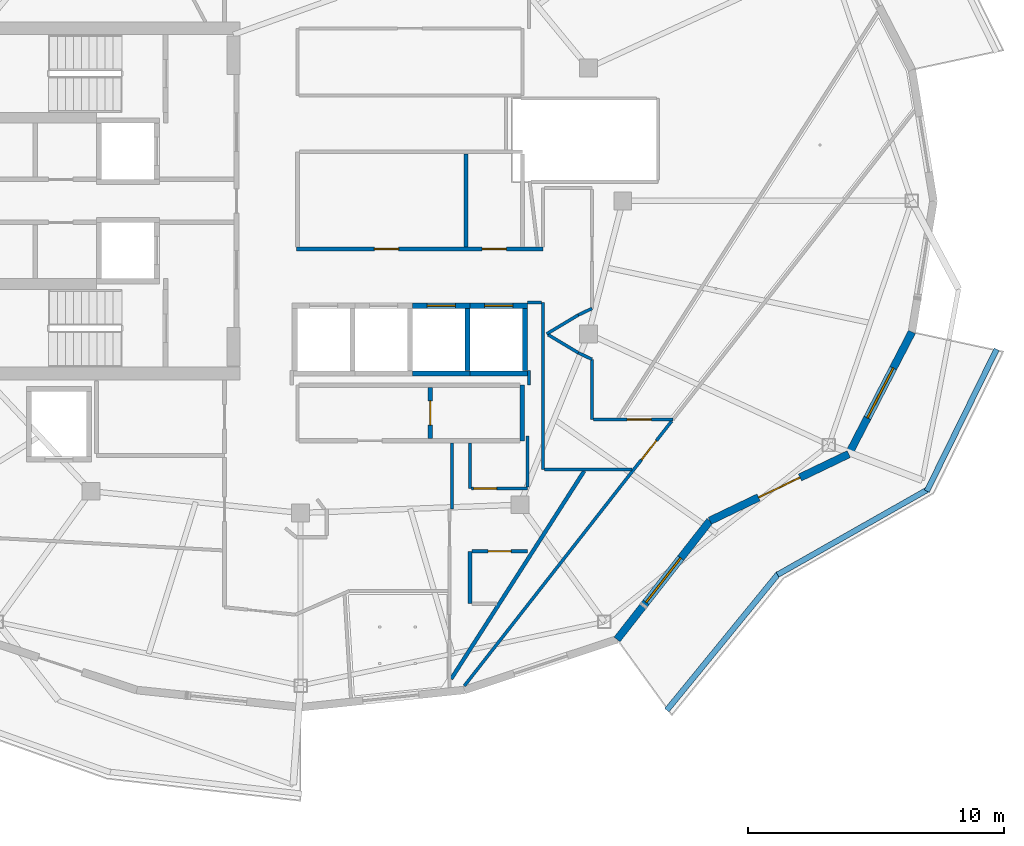
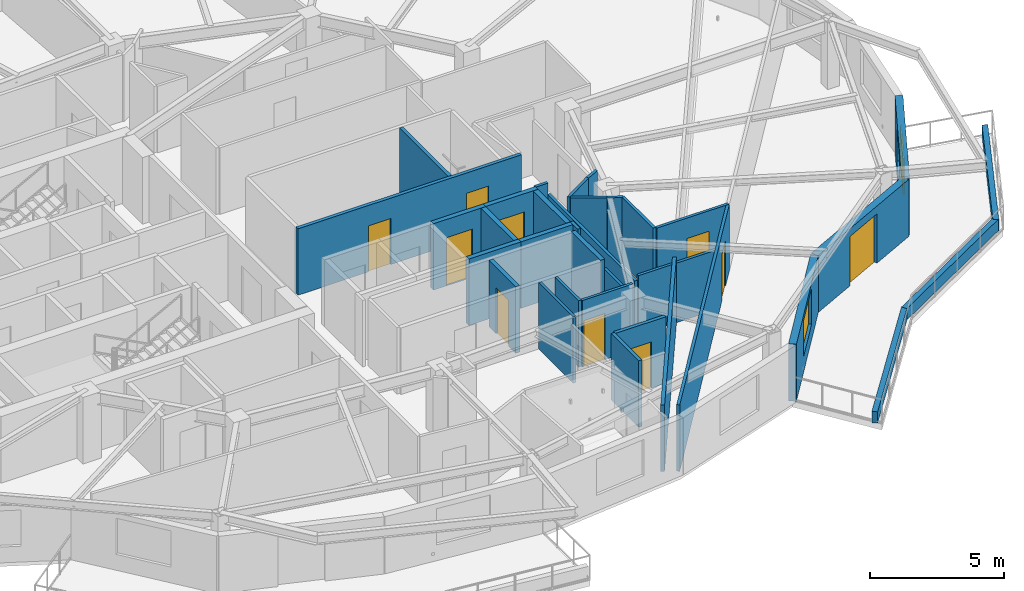
# One storey, part 5 of 14: 34 walls, 10 doors, 2 windows, 12 openings.
"""IFC4 building model written with IfcOpenShell, lengths in metres."""

import ifcopenshell
import ifcopenshell.guid

model = None  # the IFC model being written
_history = None  # IfcOwnerHistory: only IFC2X3 demands one
_inside = {}  # id of a spatial element -> (the spatial element, [elements in it])
_under = {}  # id of a project, library or spatial element -> (it, [spatial elements below it])
_declared = {}  # id of a project -> (the project, [libraries it declares])
_typed = {}  # id of a type object -> (the type object, [elements of that type])
_made_of = {}  # id of a material, layer set ... -> (it, [elements and type objects made of it])


def new_model(schema):
    """Start an empty IFC model of exactly this schema.

    Asked for "IFC4X3", IfcOpenShell would pick the latest addendum, in which some entities
    have other attributes; the version numbers below select the first issue.
    IFC2X3 requires an IfcOwnerHistory on every rooted entity: one is made here for all.
    """
    global model, _history
    if schema == "IFC4X3":
        model = ifcopenshell.file(schema_version=(4, 3, 0, 0))
    else:
        model = ifcopenshell.file(schema=schema)
    _inside.clear()
    _under.clear()
    _declared.clear()
    _typed.clear()
    _made_of.clear()
    _history = None
    if model.schema == "IFC2X3":
        org = make("IfcOrganization", Name="unknown")
        user = make(
            "IfcPersonAndOrganization",
            ThePerson=make("IfcPerson", FamilyName="unknown"),
            TheOrganization=org,
        )
        app = make(
            "IfcApplication",
            ApplicationDeveloper=org,
            Version="unknown",
            ApplicationFullName="unknown",
            ApplicationIdentifier="unknown",
        )
        _history = make(
            "IfcOwnerHistory",
            OwningUser=user,
            OwningApplication=app,
            ChangeAction="ADDED",
            CreationDate=0,
        )
    return model


def make(cls, **values):
    """One entity of the class cls with the attributes given. An attribute that is None is left unset."""
    return model.create_entity(
        cls, **{name: value for name, value in values.items() if value is not None}
    )


def rooted(cls, **values):
    """An entity with a GlobalId (a new one), such as an element, a storey or a relation."""
    return make(cls, GlobalId=ifcopenshell.guid.new(), OwnerHistory=_history, **values)


def si_unit(unit_type, name, prefix=None):
    """IfcSIUnit, for example si_unit("LENGTHUNIT", "METRE", prefix="MILLI")."""
    return make("IfcSIUnit", UnitType=unit_type, Prefix=prefix, Name=name)


def assignment(units):
    """IfcUnitAssignment: the units of a project."""
    return None if units is None else make("IfcUnitAssignment", Units=units)


def point(xyz):
    """IfcCartesianPoint."""
    return None if xyz is None else make("IfcCartesianPoint", Coordinates=xyz)


def direction(xyz):
    """IfcDirection."""
    return None if xyz is None else make("IfcDirection", DirectionRatios=xyz)


def frame(location, z_axis=None, x_axis=None):
    """IfcAxis2Placement3D, a coordinate frame: its origin and axes. An axis left out is left unset."""
    return make(
        "IfcAxis2Placement3D",
        Location=point(location),
        Axis=direction(z_axis),
        RefDirection=direction(x_axis),
    )


def frame_2d(location, x_axis=None):
    """IfcAxis2Placement2D, a coordinate frame in the plane: its origin and x axis."""
    return make(
        "IfcAxis2Placement2D", Location=point(location), RefDirection=direction(x_axis)
    )


def origin():
    """The frame at (0, 0, 0) with its axes left unset."""
    return frame((0.0, 0.0, 0.0))


def place(relative_to, where):
    """IfcLocalPlacement: puts the frame where relative to a parent placement (None: the world)."""
    return make(
        "IfcLocalPlacement", PlacementRelTo=relative_to, RelativePlacement=where
    )


def context(
    kind, dimensions, precision=None, world=None, true_north=None, identifier=None
):
    """IfcGeometricRepresentationContext, for example the 3D "Model" context."""
    return make(
        "IfcGeometricRepresentationContext",
        ContextIdentifier=identifier,
        ContextType=kind,
        CoordinateSpaceDimension=dimensions,
        Precision=precision,
        WorldCoordinateSystem=world,
        TrueNorth=true_north,
    )


def subcontext(parent, identifier, kind, view, scale=None):
    """IfcGeometricRepresentationSubContext, for example "Body" below "Model"."""
    return make(
        "IfcGeometricRepresentationSubContext",
        ContextIdentifier=identifier,
        ContextType=kind,
        ParentContext=parent,
        TargetScale=scale,
        TargetView=view,
    )


def project(units=None, contexts=None):
    """IfcProject with its units and contexts."""
    return rooted(
        "IfcProject",
        Name="project",
        RepresentationContexts=contexts,
        UnitsInContext=assignment(units),
    )


def spatial(cls, under=None, at=None, **own):
    """A site, building, storey or space (cls), placed at a placement, below another one or the project."""
    s = rooted(cls, ObjectPlacement=at, **own)
    if under is not None:
        _under.setdefault(under.id(), (under, []))[1].append(s)
    return s


def profile(cls, at=None, kind="AREA", **sizes):
    """A parametric profile (cls). Its sizes go by their IFC names, for example OverallWidth=200.0."""
    return make(cls, ProfileType=kind, Position=at, **sizes)


def rectangle(**sizes):
    """IfcRectangleProfileDef."""
    return profile("IfcRectangleProfileDef", **sizes)


def extrude(swept, where, along, depth):
    """IfcExtrudedAreaSolid: the profile swept, set in the frame where, extruded along a direction by depth."""
    return make(
        "IfcExtrudedAreaSolid",
        SweptArea=swept,
        Position=where,
        ExtrudedDirection=direction(along),
        Depth=depth,
    )


def shape(context_of_items, identifier, shape_type, items):
    """IfcShapeRepresentation: the items that make up one representation, for example the "Body"."""
    return make(
        "IfcShapeRepresentation",
        ContextOfItems=context_of_items,
        RepresentationIdentifier=identifier,
        RepresentationType=shape_type,
        Items=items,
    )


def material(Name=None, Category=None):
    """IfcMaterial."""
    return make("IfcMaterial", Name=Name, Category=Category)


def layer(
    of_material, thickness, ventilated=None, Name=None, Category=None, Priority=None
):
    """IfcMaterialLayer: one layer of a wall or slab, of a material (None: an air gap)."""
    return make(
        "IfcMaterialLayer",
        Material=of_material,
        LayerThickness=thickness,
        IsVentilated=ventilated,
        Name=Name,
        Category=Category,
        Priority=Priority,
    )


def layer_set(layers, Name=None):
    """IfcMaterialLayerSet."""
    return make("IfcMaterialLayerSet", MaterialLayers=layers, LayerSetName=Name)


def made_of(thing, what):
    """Note that an element or type object is made of a material, layer set ...; save() writes the relation."""
    if what is not None:
        _made_of.setdefault(what.id(), (what, []))[1].append(thing)
    return thing


def type_object(cls, material=None, **own):
    """A type object (cls), such as IfcWallType, which elements share."""
    return made_of(rooted(cls, **own), material)


def element(
    cls,
    number,
    at=None,
    inside=None,
    cuts=None,
    type_object=None,
    material=None,
    context=None,
    identifier="Body",
    shape_type=None,
    held_by="IfcProductDefinitionShape",
    body=None,
    shapes=None,
    **own,
):
    """One element of the class cls, such as IfcWall. Its Tag is "e" and its number.

    at: its placement. inside: the storey or other place that contains it. cuts: it is an
    opening in that element (IfcRelVoidsElement). A single representation is given by context,
    identifier, shape_type and body (its items); several are given by shapes. held_by: the class
    of the entity that holds the representations. save() writes the other relations.
    """
    e = rooted(cls, Tag="e%d" % number, ObjectPlacement=at, **own)
    if body is not None:
        shapes = [shape(context, identifier, shape_type, body)]
    if shapes is not None:
        e.Representation = make(held_by, Representations=shapes)
    if inside is not None:
        _inside.setdefault(inside.id(), (inside, []))[1].append(e)
    if cuts is not None:
        rooted(
            "IfcRelVoidsElement", RelatingBuildingElement=cuts, RelatedOpeningElement=e
        )
    if type_object is not None:
        _typed.setdefault(type_object.id(), (type_object, []))[1].append(e)
    return made_of(e, material)


def fill(opening, filler):
    """IfcRelFillsElement: the door or window that sits in an opening."""
    return rooted(
        "IfcRelFillsElement",
        RelatingOpeningElement=opening,
        RelatedBuildingElement=filler,
    )


def aggregate(whole, parts):
    """IfcRelAggregates: a whole, such as a stair, and the parts it consists of."""
    return rooted("IfcRelAggregates", RelatingObject=whole, RelatedObjects=parts)


def save(model, path):
    """Write the relations noted so far, then the file.

    IfcRelAggregates (storeys below a building ...), IfcRelContainedInSpatialStructure (elements
    in a storey), IfcRelDefinesByType, IfcRelAssociatesMaterial and IfcRelDeclares: one each for
    every whole, place, type object, material and project.
    """
    for whole, parts in _under.values():
        aggregate(whole, parts)
    for where, things in _inside.values():
        rooted(
            "IfcRelContainedInSpatialStructure",
            RelatedElements=things,
            RelatingStructure=where,
        )
    for kind, things in _typed.values():
        rooted("IfcRelDefinesByType", RelatedObjects=things, RelatingType=kind)
    for what, things in _made_of.values():
        rooted("IfcRelAssociatesMaterial", RelatedObjects=things, RelatingMaterial=what)
    for by, libraries in _declared.values():
        rooted("IfcRelDeclares", RelatingContext=by, RelatedDefinitions=libraries)
    model.write(path)


model = new_model("IFC4")

# Units and contexts
model_context = context("Model", 3, precision=1e-05, world=origin(), true_north=direction((0.0, 1.0)))
body_context = subcontext(model_context, "Body", "Model", "MODEL_VIEW")
ifc_project = project(units=[si_unit("LENGTHUNIT", "METRE"), si_unit("AREAUNIT", "SQUARE_METRE"), si_unit("VOLUMEUNIT", "CUBIC_METRE"), si_unit("PLANEANGLEUNIT", "RADIAN"), si_unit("MASSUNIT", "GRAM", prefix="KILO")], contexts=[model_context])

# Site, building, storey
site_placement = place(None, origin())
site = spatial("IfcSite", under=ifc_project, at=site_placement, CompositionType="ELEMENT")
building_placement = place(site_placement, origin())
building = spatial("IfcBuilding", under=site, at=building_placement, Name="Kolvaren Gate Tower and Convention Centre", CompositionType="ELEMENT")
storey_placement = place(building_placement, frame((0.0, 0.0, 209.60009765625)))
storey = spatial("IfcBuildingStorey", under=building, at=storey_placement, Name="L55", CompositionType="ELEMENT", Elevation=209.60009765625)

# Wall
ifc_material_1 = material(Name="Autoclaved Aerated Masonry Blockwork Class 4 (4.0 MPa)", Category="masonry")
ifc_layer_1 = layer(ifc_material_1, 0.179931640625)
ifc_layer_set_1 = layer_set([ifc_layer_1], Name="Autoclaved Aerated Masonry Blockwork Class 4 (4.0 MPa)")
wall_type_1 = type_object("IfcWallType", Name="ARCH-WL-COMP-180", PredefinedType="SOLIDWALL", material=ifc_layer_set_1)
wall_1_placement = place(storey_placement, frame((38.800048828125, 17.6201171875, 0.0), z_axis=(0.0, 0.0, 1.0), x_axis=(0.0, 1.0, 0.0)))
element("IfcWall", 1, at=wall_1_placement, inside=storey, type_object=wall_type_1, Name="Interior Partition WL-L55-INT-020", PredefinedType="SOLIDWALL", context=body_context, shape_type="SweptSolid", body=[
    extrude(rectangle(XDim=2.179931640625, YDim=0.179931640625, at=frame_2d((1.08984375, 0.0))), origin(), (0.0, 0.0, 1.0), 3.02978515625),
])

# Wall, opening, door
wall_2_placement = place(storey_placement, frame((35.199951171875, 17.7119140625, 0.0), z_axis=(0.0, 0.0, 1.0), x_axis=(0.0, 1.0, 0.0)))
wall_2 = element("IfcWall", 2, at=wall_2_placement, inside=storey, type_object=wall_type_1, Name="Interior Partition WL-L55-INT-027", PredefinedType="SOLIDWALL", context=body_context, shape_type="SweptSolid", body=[
    extrude(rectangle(XDim=1.99609375, YDim=0.179931640625, at=frame_2d((0.998046875, 0.0))), origin(), (0.0, 0.0, 1.0), 3.02978515625),
])
opening_1_placement = place(wall_2_placement, frame((0.52294921875, 0.0, 0.0)))
opening_1 = element("IfcOpeningElement", 3, at=opening_1_placement, cuts=wall_2, Name="Opening DR-01", PredefinedType="OPENING", context=body_context, shape_type="SweptSolid", body=[
    extrude(rectangle(XDim=0.949951171875, YDim=2.10009765625, at=frame_2d((0.47509765625, 1.050048828125))), frame((0.0, 0.099853515625, 0.0), z_axis=(0.0, -1.0, 0.0), x_axis=(1.0, 0.0, 0.0)), (0.0, 0.0, 1.0), 0.199951171875),
])
ifc_material_2 = material(Name="Painted Architectural Steelwork ASTM A500 Grade C 345 MPa", Category="steel")
door_type_1 = type_object("IfcDoorType", Name="ARCH-DR-RISER-950", OperationType="SINGLE_SWING_RIGHT", PredefinedType="DOOR", material=ifc_material_2)
door_1_placement = place(opening_1_placement, origin())
door_1 = element("IfcDoor", 4, at=door_1_placement, inside=storey, type_object=door_type_1, Name="Smart-Metering Room Door", OperationType="SINGLE_SWING_LEFT", OverallHeight=2.10009765625, OverallWidth=0.949951171875, PredefinedType="DOOR", context=body_context, shape_type="SweptSolid", body=[
    extrude(rectangle(XDim=0.949951171875, YDim=2.10009765625, at=frame_2d((0.47509765625, 1.050048828125))), frame((0.0, 0.02490234375, 0.0), z_axis=(0.0, -1.0, 0.0), x_axis=(1.0, 0.0, 0.0)), (0.0, 0.0, 1.0), 0.050048828125),
])
fill(opening_1, door_1)

# Walls
ifc_material_3 = material(Name="Fire-Rated Acoustic Gypsum Stud Partition", Category="gypsum")
ifc_layer_2 = layer(ifc_material_3, 0.1201171875)
ifc_layer_set_2 = layer_set([ifc_layer_2], Name="Fire-Rated Acoustic Gypsum Stud Partition")
wall_type_2 = type_object("IfcWallType", Name="ARCH-WL-PART-120", PredefinedType="PARTITIONING", material=ifc_layer_set_2)
wall_3_placement = place(storey_placement, frame((39.050048828125, 19.800048828125, 0.0), z_axis=(0.0, 0.0, 1.0), x_axis=(0.0, 1.0, 0.0)))
element("IfcWall", 5, at=wall_3_placement, inside=storey, type_object=wall_type_2, Name="Interior Partition WL-L55-INT-036", PredefinedType="PARTITIONING", context=body_context, shape_type="SweptSolid", body=[
    extrude(rectangle(XDim=0.56005859375, YDim=0.1201171875, at=frame_2d((0.280029296875, 0.0))), origin(), (0.0, 0.0, 1.0), 3.02978515625),
])
wall_4_placement = place(storey_placement, frame((39.60009765625, 16.5, 0.0), z_axis=(0.0, 0.0, 1.0), x_axis=(0.0, 1.0, 0.0)))
element("IfcWall", 6, at=wall_4_placement, inside=storey, type_object=wall_type_2, Name="Interior Partition WL-L55-INT-039", PredefinedType="PARTITIONING", context=body_context, shape_type="SweptSolid", body=[
    extrude(rectangle(XDim=6.52001953125, YDim=0.1201171875, at=frame_2d((3.260009765625, 0.0))), origin(), (0.0, 0.0, 1.0), 2.477783203125),
])
wall_5_placement = place(storey_placement, frame((41.52001953125, 18.449951171875, 0.0), z_axis=(0.0, 0.0, 1.0), x_axis=(0.0, 1.0, 0.0)))
element("IfcWall", 7, at=wall_5_placement, inside=storey, type_object=wall_type_2, Name="Interior Partition WL-L55-INT-042", PredefinedType="PARTITIONING", context=body_context, shape_type="SweptSolid", body=[
    extrude(rectangle(XDim=2.35693359375, YDim=0.1201171875, at=frame_2d((1.178466796875, 0.0))), origin(), (0.0, 0.0, 1.0), 3.02978515625),
])
wall_6_placement = place(storey_placement, frame((40.986083984375, 22.541015625, 0.0), z_axis=(0.0, 0.0, 1.0), x_axis=(0.903729424576, 0.428104107847, 0.0)))
element("IfcWall", 8, at=wall_6_placement, inside=storey, type_object=wall_type_2, Name="Interior Partition WL-L55-INT-044", PredefinedType="PARTITIONING", context=body_context, shape_type="SweptSolid", body=[
    extrude(rectangle(XDim=0.5908203125, YDim=0.1201171875, at=frame_2d((0.29541015625, 0.0))), origin(), (0.0, 0.0, 1.0), 3.02978515625),
])
wall_7_placement = place(storey_placement, frame((39.75, 21.800048828125, 0.0), z_axis=(0.0, 0.0, 1.0), x_axis=(0.857702120906, 0.514146935996, 0.0)))
element("IfcWall", 9, at=wall_7_placement, inside=storey, type_object=wall_type_2, Name="Interior Partition WL-L55-INT-045", PredefinedType="PARTITIONING", context=body_context, shape_type="SweptSolid", body=[
    extrude(rectangle(XDim=1.441162109375, YDim=0.1201171875, at=frame_2d((0.720703125, 0.0))), origin(), (0.0, 0.0, 1.0), 3.02978515625),
])
wall_8_placement = place(storey_placement, frame((39.810302734375, 21.763916015625, 0.0), z_axis=(0.0, 0.0, 1.0), x_axis=(0.858011245414, -0.513630901273, 0.0)))
element("IfcWall", 10, at=wall_8_placement, inside=storey, type_object=wall_type_2, Name="Interior Partition WL-L55-INT-046", PredefinedType="PARTITIONING", context=body_context, shape_type="SweptSolid", body=[
    extrude(rectangle(XDim=1.370361328125, YDim=0.1201171875, at=frame_2d((0.68505859375, 0.0))), origin(), (0.0, 0.0, 1.0), 3.02978515625),
])
wall_9_placement = place(storey_placement, frame((40.986083984375, 21.06005859375, 0.0), z_axis=(0.0, 0.0, 1.0), x_axis=(0.90356951601, -0.428441512621, 0.0)))
element("IfcWall", 11, at=wall_9_placement, inside=storey, type_object=wall_type_2, Name="Interior Partition WL-L55-INT-047", PredefinedType="PARTITIONING", context=body_context, shape_type="SweptSolid", body=[
    extrude(rectangle(XDim=0.5908203125, YDim=0.1201171875, at=frame_2d((0.29541015625, 0.0))), origin(), (0.0, 0.0, 1.0), 3.02978515625),
])

# Wall, opening, door
wall_10_placement = place(storey_placement, frame((41.58203125, 18.449951171875, 0.0), z_axis=(0.0, 0.0, 1.0), x_axis=(1.0, 0.0, 0.0)))
wall_10 = element("IfcWall", 12, at=wall_10_placement, inside=storey, type_object=wall_type_2, Name="Interior Partition WL-L55-INT-048", PredefinedType="PARTITIONING", context=body_context, shape_type="SweptSolid", body=[
    extrude(rectangle(XDim=3.10498046875, YDim=0.1201171875, at=frame_2d((1.552490234375, 0.0))), origin(), (0.0, 0.0, 1.0), 3.02978515625),
])
opening_2_placement = place(wall_10_placement, frame((1.31005859375, 0.0, 0.0)))
opening_2 = element("IfcOpeningElement", 13, at=opening_2_placement, cuts=wall_10, Name="Opening DR-01", PredefinedType="OPENING", context=body_context, shape_type="SweptSolid", body=[
    extrude(rectangle(XDim=0.949951171875, YDim=2.10009765625, at=frame_2d((0.47509765625, 1.050048828125))), frame((0.0, 0.070068359375, 0.0), z_axis=(0.0, -1.0, 0.0), x_axis=(1.0, 0.0, 0.0)), (0.0, 0.0, 1.0), 0.14013671875),
])
door_2_placement = place(opening_2_placement, origin())
door_2 = element("IfcDoor", 14, at=door_2_placement, inside=storey, type_object=door_type_1, Name="Resident Quiet Study Office Door", OperationType="SINGLE_SWING_RIGHT", OverallHeight=2.10009765625, OverallWidth=0.949951171875, PredefinedType="DOOR", context=body_context, shape_type="SweptSolid", body=[
    extrude(rectangle(XDim=0.949951171875, YDim=2.10009765625, at=frame_2d((0.47509765625, 1.050048828125))), frame((0.0, 0.02490234375, 0.0), z_axis=(0.0, -1.0, 0.0), x_axis=(1.0, 0.0, 0.0)), (0.0, 0.0, 1.0), 0.050048828125),
])
fill(opening_2, door_2)

wall_11_placement = place(storey_placement, frame((36.527099609375, 8.03369140625, 0.0), z_axis=(0.0, 0.0, 1.0), x_axis=(0.616547497682, 0.787317714206, 0.0)))
wall_11 = element("IfcWall", 15, at=wall_11_placement, inside=storey, type_object=wall_type_2, Name="Interior Partition WL-L55-INT-049", PredefinedType="PARTITIONING", context=body_context, shape_type="SweptSolid", body=[
    extrude(rectangle(XDim=13.1513671875, YDim=0.1201171875, at=frame_2d((6.57568359375, 0.0))), origin(), (0.0, 0.0, 1.0), 3.02978515625),
])
opening_3_placement = place(wall_11_placement, frame((11.239990234375, 0.0, 0.0)))
opening_3 = element("IfcOpeningElement", 16, at=opening_3_placement, cuts=wall_11, Name="Opening DR-01", PredefinedType="OPENING", context=body_context, shape_type="SweptSolid", body=[
    extrude(rectangle(XDim=0.949951171875, YDim=2.10009765625, at=frame_2d((0.47509765625, 1.050048828125))), frame((0.0, 0.070068359375, 0.0), z_axis=(0.0, -1.0, 0.0), x_axis=(1.0, 0.0, 0.0)), (0.0, 0.0, 1.0), 0.14013671875),
])
door_3_placement = place(opening_3_placement, origin())
door_3 = element("IfcDoor", 17, at=door_3_placement, inside=storey, type_object=door_type_1, Name="Resident Private Study and Home Office Door", OperationType="SINGLE_SWING_LEFT", OverallHeight=2.10009765625, OverallWidth=0.949951171875, PredefinedType="DOOR", context=body_context, shape_type="SweptSolid", body=[
    extrude(rectangle(XDim=0.949951171875, YDim=2.10009765625, at=frame_2d((0.47509765625, 1.050048828125))), frame((0.0, 0.02490234375, 0.0), z_axis=(0.0, -1.0, 0.0), x_axis=(1.0, 0.0, 0.0)), (0.0, 0.0, 1.0), 0.050048828125),
])
fill(opening_3, door_3)

# Walls
wall_12_placement = place(storey_placement, frame((39.662109375, 16.5, 0.0), z_axis=(0.0, 0.0, 1.0), x_axis=(1.0, 0.0, 0.0)))
element("IfcWall", 18, at=wall_12_placement, inside=storey, type_object=wall_type_2, Name="Interior Partition WL-L55-INT-050", PredefinedType="PARTITIONING", context=body_context, shape_type="SweptSolid", body=[
    extrude(rectangle(XDim=3.416015625, YDim=0.1201171875, at=frame_2d((1.7080078125, 0.0))), origin(), (0.0, 0.0, 1.0), 2.7119140625),
])
wall_13_placement = place(storey_placement, frame((39.0, 23.02001953125, 0.0), z_axis=(0.0, 0.0, 1.0), x_axis=(1.0, 0.0, 0.0)))
element("IfcWall", 19, at=wall_13_placement, inside=storey, type_object=wall_type_2, Name="Interior Partition WL-L55-INT-051", PredefinedType="PARTITIONING", context=body_context, shape_type="SweptSolid", body=[
    extrude(rectangle(XDim=0.5380859375, YDim=0.1201171875, at=frame_2d((0.26904296875, 0.0))), origin(), (0.0, 0.0, 1.0), 3.02978515625),
])
wall_14_placement = place(storey_placement, frame((36.050048828125, 14.949951171875, 0.0), z_axis=(0.0, 0.0, 1.0), x_axis=(0.0, 1.0, 0.0)))
element("IfcWall", 20, at=wall_14_placement, inside=storey, type_object=wall_type_2, Name="Interior Partition WL-L55-INT-053", PredefinedType="PARTITIONING", context=body_context, shape_type="SweptSolid", body=[
    extrude(rectangle(XDim=2.578125, YDim=0.1201171875, at=frame_2d((1.2890625, 0.0))), origin(), (0.0, 0.0, 1.0), 3.02978515625),
])
wall_15_placement = place(storey_placement, frame((36.75, 15.75, 0.0), z_axis=(0.0, 0.0, 1.0), x_axis=(0.0, 1.0, 0.0)))
element("IfcWall", 21, at=wall_15_placement, inside=storey, type_object=wall_type_2, Name="Interior Partition WL-L55-INT-067", PredefinedType="PARTITIONING", context=body_context, shape_type="SweptSolid", body=[
    extrude(rectangle(XDim=1.778076171875, YDim=0.1201171875, at=frame_2d((0.88916015625, 0.0))), origin(), (0.0, 0.0, 1.0), 3.02978515625),
])

# Wall, opening, door
wall_16_placement = place(storey_placement, frame((36.81201171875, 15.75, 0.0), z_axis=(0.0, 0.0, 1.0), x_axis=(1.0, 0.0, 0.0)))
wall_16 = element("IfcWall", 22, at=wall_16_placement, inside=storey, type_object=wall_type_2, Name="Interior Partition WL-L55-INT-068", PredefinedType="PARTITIONING", context=body_context, shape_type="SweptSolid", body=[
    extrude(rectangle(XDim=2.18798828125, YDim=0.1201171875, at=frame_2d((1.093994140625, 0.0))), origin(), (0.0, 0.0, 1.0), 3.02978515625),
])
opening_4_placement = place(wall_16_placement, frame((0.083984375, 0.0, 0.0)))
opening_4 = element("IfcOpeningElement", 23, at=opening_4_placement, cuts=wall_16, Name="Opening DW-01", PredefinedType="OPENING", context=body_context, shape_type="SweptSolid", body=[
    extrude(rectangle(XDim=0.89990234375, YDim=2.10009765625, at=frame_2d((0.449951171875, 1.050048828125))), frame((0.0, 0.070068359375, 0.0), z_axis=(0.0, -1.0, 0.0), x_axis=(1.0, 0.0, 0.0)), (0.0, 0.0, 1.0), 0.14013671875),
])
ifc_material_4 = material(Name="FSC Andean Oak Engineered Veneer Door Leaf", Category="wood")
door_type_2 = type_object("IfcDoorType", Name="ARCH-DR-WC-900", OperationType="SINGLE_SWING_RIGHT", PredefinedType="DOOR", material=ifc_material_4)
door_4_placement = place(opening_4_placement, origin())
door_4 = element("IfcDoor", 24, at=door_4_placement, inside=storey, type_object=door_type_2, Name="Apartment Fitted Kitchen (APT-L55-01) Door", OperationType="SINGLE_SWING_RIGHT", OverallHeight=2.10009765625, OverallWidth=0.89990234375, PredefinedType="DOOR", context=body_context, shape_type="SweptSolid", body=[
    extrude(rectangle(XDim=0.89990234375, YDim=2.10009765625, at=frame_2d((0.449951171875, 1.050048828125))), frame((0.0, 0.02490234375, 0.0), z_axis=(0.0, -1.0, 0.0), x_axis=(1.0, 0.0, 0.0)), (0.0, 0.0, 1.0), 0.050048828125),
])
fill(opening_4, door_4)

# Walls
wall_17_placement = place(storey_placement, frame((39.0, 15.81201171875, 0.0), z_axis=(0.0, 0.0, 1.0), x_axis=(0.0, 1.0, 0.0)))
element("IfcWall", 25, at=wall_17_placement, inside=storey, type_object=wall_type_2, Name="Interior Partition WL-L55-INT-069", PredefinedType="PARTITIONING", context=body_context, shape_type="SweptSolid", body=[
    extrude(rectangle(XDim=1.988037109375, YDim=0.1201171875, at=frame_2d((0.994140625, 0.0))), origin(), (0.0, 0.0, 1.0), 2.477783203125),
])
ifc_material_5 = material(Name="Piedmont Cream Honed Limestone Cladding", Category="masonry")
ifc_layer_3 = layer(ifc_material_5, 0.219970703125)
ifc_layer_set_3 = layer_set([ifc_layer_3], Name="Piedmont Cream Honed Limestone Cladding")
wall_type_3 = type_object("IfcWallType", Name="ARCH-WL-PLANTER-220", PredefinedType="PARAPET", material=ifc_layer_set_3)
wall_18_placement = place(storey_placement, frame((44.4482421875, 7.087158203125, 0.0), z_axis=(0.0, 0.0, 1.0), x_axis=(0.632697312147, 0.774399193699, 0.0)))
element("IfcWall", 26, at=wall_18_placement, inside=storey, type_object=wall_type_3, Name="Vertical-Forest Balcony Stone Planter Kerb PK-L55-4.1", PredefinedType="PARAPET", context=body_context, shape_type="SweptSolid", body=[
    extrude(rectangle(XDim=6.9140625, YDim=0.219970703125, at=frame_2d((3.45703125, 0.0))), origin(), (0.0, 0.0, 1.0), 0.52001953125),
])
wall_19_placement = place(storey_placement, frame((48.7763671875, 12.38330078125, 0.0), z_axis=(0.0, 0.0, 1.0), x_axis=(0.869860619267, 0.493297580623, 0.0)))
element("IfcWall", 27, at=wall_19_placement, inside=storey, type_object=wall_type_3, Name="Vertical-Forest Balcony Stone Planter Kerb PK-L55-4.2", PredefinedType="PARAPET", context=body_context, shape_type="SweptSolid", body=[
    extrude(rectangle(XDim=6.74267578125, YDim=0.219970703125, at=frame_2d((3.371337890625, 0.0))), origin(), (0.0, 0.0, 1.0), 0.52001953125),
])
wall_20_placement = place(storey_placement, frame((54.615966796875, 15.6533203125, 0.0), z_axis=(0.0, 0.0, 1.0), x_axis=(0.441640961804, 0.897191875162, 0.0)))
element("IfcWall", 28, at=wall_20_placement, inside=storey, type_object=wall_type_3, Name="Vertical-Forest Balcony Stone Planter Kerb PK-L55-4.3", PredefinedType="PARAPET", context=body_context, shape_type="SweptSolid", body=[
    extrude(rectangle(XDim=6.17822265625, YDim=0.219970703125, at=frame_2d((3.089111328125, 0.0))), origin(), (0.0, 0.0, 1.0), 0.52001953125),
])

# Wall, opening, door
ifc_layer_4 = layer(ifc_material_1, 0.199951171875)
ifc_layer_set_4 = layer_set([ifc_layer_4], Name="Autoclaved Aerated Masonry Blockwork Class 4 (4.0 MPa)")
wall_type_4 = type_object("IfcWallType", Name="ARCH-WL-SHAFT-200", PredefinedType="SOLIDWALL", material=ifc_layer_set_4)
wall_21_placement = place(storey_placement, frame((34.5, 22.89990234375, 0.0), z_axis=(0.0, 0.0, 1.0), x_axis=(1.0, 0.0, 0.0)))
wall_21 = element("IfcWall", 29, at=wall_21_placement, inside=storey, type_object=wall_type_4, Name="Elevator PL-11 L55 Fire Shaft Wall N", PredefinedType="SOLIDWALL", context=body_context, shape_type="SweptSolid", body=[
    extrude(rectangle(XDim=2.25, YDim=0.199951171875, at=frame_2d((1.125, 0.0))), origin(), (0.0, 0.0, 1.0), 3.02978515625),
])
opening_5_placement = place(wall_21_placement, frame((0.574951171875, 0.0, 0.0)))
opening_5 = element("IfcOpeningElement", 30, at=opening_5_placement, cuts=wall_21, Name="Opening LD", PredefinedType="OPENING", context=body_context, shape_type="SweptSolid", body=[
    extrude(rectangle(XDim=1.10009765625, YDim=2.199951171875, at=frame_2d((0.550048828125, 1.10009765625))), frame((0.0, 0.10986328125, 0.0), z_axis=(0.0, -1.0, 0.0), x_axis=(1.0, 0.0, 0.0)), (0.0, 0.0, 1.0), 0.219970703125),
])
ifc_material_6 = material(Name="Brushed Stainless Steel Grade 316L", Category="steel")
door_type_3 = type_object("IfcDoorType", Name="ARCH-DR-LIFT-1100", OperationType="SLIDING_TO_LEFT", PredefinedType="DOOR", material=ifc_material_6)
door_5_placement = place(opening_5_placement, origin())
door_5 = element("IfcDoor", 31, at=door_5_placement, inside=storey, type_object=door_type_3, Name="Elevator PL-11 L55 Sliding Landing Door", OperationType="SLIDING_TO_LEFT", OverallHeight=2.199951171875, OverallWidth=1.10009765625, PredefinedType="DOOR", context=body_context, shape_type="SweptSolid", body=[
    extrude(rectangle(XDim=1.10009765625, YDim=2.199951171875, at=frame_2d((0.550048828125, 1.10009765625))), frame((0.0, 0.02490234375, 0.0), z_axis=(0.0, -1.0, 0.0), x_axis=(1.0, 0.0, 0.0)), (0.0, 0.0, 1.0), 0.050048828125),
])
fill(opening_5, door_5)

# Walls
wall_22_placement = place(storey_placement, frame((34.5, 20.25, 0.0), z_axis=(0.0, 0.0, 1.0), x_axis=(1.0, 0.0, 0.0)))
element("IfcWall", 32, at=wall_22_placement, inside=storey, type_object=wall_type_4, Name="Elevator PL-11 L55 Fire Shaft Wall S", PredefinedType="SOLIDWALL", context=body_context, shape_type="SweptSolid", body=[
    extrude(rectangle(XDim=2.25, YDim=0.199951171875, at=frame_2d((1.125, 0.0))), origin(), (0.0, 0.0, 1.0), 3.02978515625),
])
wall_23_placement = place(storey_placement, frame((36.64990234375, 20.360107421875, 0.0), z_axis=(0.0, 0.0, 1.0), x_axis=(0.0, 1.0, 0.0)))
element("IfcWall", 33, at=wall_23_placement, inside=storey, type_object=wall_type_4, Name="Elevator PL-11 L55 Fire Shaft Wall E", PredefinedType="SOLIDWALL", context=body_context, shape_type="SweptSolid", body=[
    extrude(rectangle(XDim=2.429931640625, YDim=0.199951171875, at=frame_2d((1.21484375, 0.0))), origin(), (0.0, 0.0, 1.0), 3.02978515625),
])

# Wall, opening, door
wall_24_placement = place(storey_placement, frame((36.75, 22.89990234375, 0.0), z_axis=(0.0, 0.0, 1.0), x_axis=(1.0, 0.0, 0.0)))
wall_24 = element("IfcWall", 34, at=wall_24_placement, inside=storey, type_object=wall_type_4, Name="Elevator PL-12 L55 Fire Shaft Wall N", PredefinedType="SOLIDWALL", context=body_context, shape_type="SweptSolid", body=[
    extrude(rectangle(XDim=2.25, YDim=0.199951171875, at=frame_2d((1.125, 0.0))), origin(), (0.0, 0.0, 1.0), 3.02978515625),
])
opening_6_placement = place(wall_24_placement, frame((0.574951171875, 0.0, 0.0)))
opening_6 = element("IfcOpeningElement", 35, at=opening_6_placement, cuts=wall_24, Name="Opening LD", PredefinedType="OPENING", context=body_context, shape_type="SweptSolid", body=[
    extrude(rectangle(XDim=1.10009765625, YDim=2.199951171875, at=frame_2d((0.550048828125, 1.10009765625))), frame((0.0, 0.10986328125, 0.0), z_axis=(0.0, -1.0, 0.0), x_axis=(1.0, 0.0, 0.0)), (0.0, 0.0, 1.0), 0.219970703125),
])
door_6_placement = place(opening_6_placement, origin())
door_6 = element("IfcDoor", 36, at=door_6_placement, inside=storey, type_object=door_type_3, Name="Elevator PL-12 L55 Sliding Landing Door", OperationType="SLIDING_TO_LEFT", OverallHeight=2.199951171875, OverallWidth=1.10009765625, PredefinedType="DOOR", context=body_context, shape_type="SweptSolid", body=[
    extrude(rectangle(XDim=1.10009765625, YDim=2.199951171875, at=frame_2d((0.550048828125, 1.10009765625))), frame((0.0, 0.02490234375, 0.0), z_axis=(0.0, -1.0, 0.0), x_axis=(1.0, 0.0, 0.0)), (0.0, 0.0, 1.0), 0.050048828125),
])
fill(opening_6, door_6)

# Walls
wall_25_placement = place(storey_placement, frame((36.75, 20.25, 0.0), z_axis=(0.0, 0.0, 1.0), x_axis=(1.0, 0.0, 0.0)))
element("IfcWall", 37, at=wall_25_placement, inside=storey, type_object=wall_type_4, Name="Elevator PL-12 L55 Fire Shaft Wall S", PredefinedType="SOLIDWALL", context=body_context, shape_type="SweptSolid", body=[
    extrude(rectangle(XDim=2.25, YDim=0.199951171875, at=frame_2d((1.125, 0.0))), origin(), (0.0, 0.0, 1.0), 3.02978515625),
])
wall_26_placement = place(storey_placement, frame((38.89990234375, 20.360107421875, 0.0), z_axis=(0.0, 0.0, 1.0), x_axis=(0.0, 1.0, 0.0)))
element("IfcWall", 38, at=wall_26_placement, inside=storey, type_object=wall_type_4, Name="Elevator PL-12 L55 Fire Shaft Wall E", PredefinedType="SOLIDWALL", context=body_context, shape_type="SweptSolid", body=[
    extrude(rectangle(XDim=2.429931640625, YDim=0.199951171875, at=frame_2d((1.21484375, 0.0))), origin(), (0.0, 0.0, 1.0), 3.02978515625),
])

# Wall, opening, window
ifc_layer_5 = layer(ifc_material_5, 0.300048828125)
ifc_layer_set_5 = layer_set([ifc_layer_5], Name="Piedmont Cream Honed Limestone Cladding")
wall_type_5 = type_object("IfcWallType", Name="ARCH-WL-STONE-300", PredefinedType="SOLIDWALL", material=ifc_layer_set_5)
wall_27_placement = place(storey_placement, frame((42.5, 9.852783203125, 0.0), z_axis=(0.0, 0.0, 1.0), x_axis=(0.616450126935, 0.787393955401, 0.0)))
wall_27 = element("IfcWall", 39, at=wall_27_placement, inside=storey, type_object=wall_type_5, Name="Tower L55 Honed Stone Spandrel Wall EW-20", PredefinedType="SOLIDWALL", context=body_context, shape_type="SweptSolid", body=[
    extrude(rectangle(XDim=5.892822265625, YDim=0.300048828125, at=frame_2d((2.9462890625, 0.0))), origin(), (0.0, 0.0, 1.0), 2.60498046875),
])
opening_7_placement = place(wall_27_placement, frame((1.845947265625, 0.0, 0.719970703125)))
opening_7 = element("IfcOpeningElement", 40, at=opening_7_placement, cuts=wall_27, Name="Opening W-03", PredefinedType="OPENING", context=body_context, shape_type="SweptSolid", body=[
    extrude(rectangle(XDim=2.199951171875, YDim=1.64990234375, at=frame_2d((1.10009765625, 0.824951171875))), frame((0.0, 0.159912109375, 0.0), z_axis=(0.0, -1.0, 0.0), x_axis=(1.0, 0.0, 0.0)), (0.0, 0.0, 1.0), 0.320068359375),
])
ifc_material_7 = material(Name="Low-E Triple Insulated Glazing Unit 44 mm", Category="glass")
window_type = type_object("IfcWindowType", Name="ARCH-WN-RES-2200", PartitioningType="SINGLE_PANEL", PredefinedType="WINDOW", material=ifc_material_7)
window_1_placement = place(opening_7_placement, origin())
window_1 = element("IfcWindow", 41, at=window_1_placement, inside=storey, type_object=window_type, Name="Tower L55 Punched Stone Facade Window W-20", OverallHeight=1.64990234375, OverallWidth=2.199951171875, PartitioningType="SINGLE_PANEL", PredefinedType="WINDOW", context=body_context, shape_type="SweptSolid", body=[
    extrude(rectangle(XDim=2.199951171875, YDim=1.64990234375, at=frame_2d((1.10009765625, 0.824951171875))), frame((0.0, 0.030029296875, 0.0), z_axis=(0.0, -1.0, 0.0), x_axis=(1.0, 0.0, 0.0)), (0.0, 0.0, 1.0), 0.06005859375),
])
fill(opening_7, window_1)

# Wall, opening, door
wall_28_placement = place(storey_placement, frame((46.132568359375, 14.49267578125, 0.0), z_axis=(0.0, 0.0, 1.0), x_axis=(0.901348331142, 0.433094892545, 0.0)))
wall_28 = element("IfcWall", 42, at=wall_28_placement, inside=storey, type_object=wall_type_5, Name="Tower L55 Honed Stone Spandrel Wall EW-21", PredefinedType="SOLIDWALL", context=body_context, shape_type="SweptSolid", body=[
    extrude(rectangle(XDim=6.0205078125, YDim=0.300048828125, at=frame_2d((3.01025390625, 0.0))), origin(), (0.0, 0.0, 1.0), 2.60498046875),
])
opening_8_placement = place(wall_28_placement, frame((2.110107421875, 0.0, 0.0)))
opening_8 = element("IfcOpeningElement", 43, at=opening_8_placement, cuts=wall_28, Name="Opening DB-01", PredefinedType="OPENING", context=body_context, shape_type="SweptSolid", body=[
    extrude(rectangle(XDim=1.800048828125, YDim=2.25, at=frame_2d((0.89990234375, 1.125))), frame((0.0, 0.159912109375, 0.0), z_axis=(0.0, -1.0, 0.0), x_axis=(1.0, 0.0, 0.0)), (0.0, 0.0, 1.0), 0.320068359375),
])
ifc_material_8 = material(Name="Anodized Architectural Aluminium Alloy 6063-T6", Category="aluminium")
door_type_4 = type_object("IfcDoorType", Name="ARCH-DR-BALC-1800", OperationType="SLIDING_TO_LEFT", PredefinedType="DOOR", material=ifc_material_8)
door_7_placement = place(opening_8_placement, frame((1.800048828125, 0.0, 0.0), z_axis=(0.0, 0.0, 1.0), x_axis=(-1.0, 0.0, 0.0)))
door_7 = element("IfcDoor", 44, at=door_7_placement, inside=storey, type_object=door_type_4, Name="Planted Sky Terrace Access Door DB-L55-21", OperationType="SLIDING_TO_LEFT", OverallHeight=2.25, OverallWidth=1.800048828125, PredefinedType="DOOR", context=body_context, shape_type="SweptSolid", body=[
    extrude(rectangle(XDim=1.800048828125, YDim=2.25, at=frame_2d((0.89990234375, 1.125))), frame((0.0, 0.02490234375, 0.0), z_axis=(0.0, -1.0, 0.0), x_axis=(1.0, 0.0, 0.0)), (0.0, 0.0, 1.0), 0.050048828125),
])
fill(opening_8, door_7)

# Wall, opening, window
wall_29_placement = place(storey_placement, frame((51.55908203125, 17.10009765625, 0.0), z_axis=(0.0, 0.0, 1.0), x_axis=(0.459808219482, 0.888018243786, 0.0)))
wall_29 = element("IfcWall", 45, at=wall_29_placement, inside=storey, type_object=wall_type_5, Name="Tower L55 Honed Stone Spandrel Wall EW-22", PredefinedType="SOLIDWALL", context=body_context, shape_type="SweptSolid", body=[
    extrude(rectangle(XDim=5.377685546875, YDim=0.300048828125, at=frame_2d((2.68896484375, 0.0))), origin(), (0.0, 0.0, 1.0), 2.60498046875),
])
opening_9_placement = place(wall_29_placement, frame((1.589111328125, 0.0, 0.719970703125)))
opening_9 = element("IfcOpeningElement", 46, at=opening_9_placement, cuts=wall_29, Name="Opening W-03", PredefinedType="OPENING", context=body_context, shape_type="SweptSolid", body=[
    extrude(rectangle(XDim=2.199951171875, YDim=1.64990234375, at=frame_2d((1.10009765625, 0.824951171875))), frame((0.0, 0.159912109375, 0.0), z_axis=(0.0, -1.0, 0.0), x_axis=(1.0, 0.0, 0.0)), (0.0, 0.0, 1.0), 0.320068359375),
])
window_2_placement = place(opening_9_placement, origin())
window_2 = element("IfcWindow", 47, at=window_2_placement, inside=storey, type_object=window_type, Name="Tower L55 Punched Stone Facade Window W-22", OverallHeight=1.64990234375, OverallWidth=2.199951171875, PartitioningType="SINGLE_PANEL", PredefinedType="WINDOW", context=body_context, shape_type="SweptSolid", body=[
    extrude(rectangle(XDim=2.199951171875, YDim=1.64990234375, at=frame_2d((1.10009765625, 0.824951171875))), frame((0.0, 0.030029296875, 0.0), z_axis=(0.0, -1.0, 0.0), x_axis=(1.0, 0.0, 0.0)), (0.0, 0.0, 1.0), 0.06005859375),
])
fill(opening_9, window_2)

# Wall, openings, doors
ifc_material_9 = material(Name="Moisture-Resistant Cement-Board Acoustic Partition", Category="gypsum")
ifc_layer_6 = layer(ifc_material_9, 0.14990234375)
ifc_layer_set_6 = layer_set([ifc_layer_6], Name="Moisture-Resistant Cement-Board Acoustic Partition")
wall_type_6 = type_object("IfcWallType", Name="ARCH-WL-WET-150", PredefinedType="PARTITIONING", material=ifc_layer_set_6)
wall_30_placement = place(storey_placement, frame((29.9599609375, 25.1201171875, 0.0), z_axis=(0.0, 0.0, 1.0), x_axis=(1.0, 0.0, 0.0)))
wall_30 = element("IfcWall", 48, at=wall_30_placement, inside=storey, type_object=wall_type_6, Name="Interior Partition WL-L55-INT-013", PredefinedType="PARTITIONING", context=body_context, shape_type="SweptSolid", body=[
    extrude(rectangle(XDim=9.64013671875, YDim=0.14990234375, at=frame_2d((4.820068359375, 0.0))), origin(), (0.0, 0.0, 1.0), 3.02978515625),
])
opening_10_placement = place(wall_30_placement, frame((3.050048828125, 0.0, 0.0)))
opening_10 = element("IfcOpeningElement", 49, at=opening_10_placement, cuts=wall_30, Name="Opening DR-01", PredefinedType="OPENING", context=body_context, shape_type="SweptSolid", body=[
    extrude(rectangle(XDim=0.949951171875, YDim=2.10009765625, at=frame_2d((0.47509765625, 1.050048828125))), frame((0.0, 0.0849609375, 0.0), z_axis=(0.0, -1.0, 0.0), x_axis=(1.0, 0.0, 0.0)), (0.0, 0.0, 1.0), 0.169921875),
])
opening_11_placement = place(wall_30_placement, frame((7.264892578125, 0.0, 0.0)))
opening_11 = element("IfcOpeningElement", 50, at=opening_11_placement, cuts=wall_30, Name="Opening DR-01", PredefinedType="OPENING", context=body_context, shape_type="SweptSolid", body=[
    extrude(rectangle(XDim=0.949951171875, YDim=2.10009765625, at=frame_2d((0.47509765625, 1.050048828125))), frame((0.0, 0.0849609375, 0.0), z_axis=(0.0, -1.0, 0.0), x_axis=(1.0, 0.0, 0.0)), (0.0, 0.0, 1.0), 0.169921875),
])
door_8_placement = place(opening_10_placement, origin())
door_8 = element("IfcDoor", 51, at=door_8_placement, inside=storey, type_object=door_type_1, Name="Accessible Universal Washroom Door", OperationType="SINGLE_SWING_RIGHT", OverallHeight=2.10009765625, OverallWidth=0.949951171875, PredefinedType="DOOR", context=body_context, shape_type="SweptSolid", body=[
    extrude(rectangle(XDim=0.949951171875, YDim=2.10009765625, at=frame_2d((0.47509765625, 1.050048828125))), frame((0.0, 0.02490234375, 0.0), z_axis=(0.0, -1.0, 0.0), x_axis=(1.0, 0.0, 0.0)), (0.0, 0.0, 1.0), 0.050048828125),
])
fill(opening_10, door_8)
door_9_placement = place(opening_11_placement, origin())
door_9 = element("IfcDoor", 52, at=door_9_placement, inside=storey, type_object=door_type_1, Name="Floor Janitor and Supply Store Door", OperationType="SINGLE_SWING_LEFT", OverallHeight=2.10009765625, OverallWidth=0.949951171875, PredefinedType="DOOR", context=body_context, shape_type="SweptSolid", body=[
    extrude(rectangle(XDim=0.949951171875, YDim=2.10009765625, at=frame_2d((0.47509765625, 1.050048828125))), frame((0.0, 0.02490234375, 0.0), z_axis=(0.0, -1.0, 0.0), x_axis=(1.0, 0.0, 0.0)), (0.0, 0.0, 1.0), 0.050048828125),
])
fill(opening_11, door_9)

# Walls
wall_31_placement = place(storey_placement, frame((36.60009765625, 25.197021484375, 0.0), z_axis=(0.0, 0.0, 1.0), x_axis=(0.0, 1.0, 0.0)))
element("IfcWall", 53, at=wall_31_placement, inside=storey, type_object=wall_type_6, Name="Interior Partition WL-L55-INT-019", PredefinedType="PARTITIONING", context=body_context, shape_type="SweptSolid", body=[
    extrude(rectangle(XDim=3.64599609375, YDim=0.14990234375, at=frame_2d((1.822998046875, 0.0))), origin(), (0.0, 0.0, 1.0), 3.02978515625),
])
wall_32_placement = place(storey_placement, frame((36.75, 11.25, 0.0), z_axis=(0.0, 0.0, 1.0), x_axis=(0.0, 1.0, 0.0)))
element("IfcWall", 54, at=wall_32_placement, inside=storey, type_object=wall_type_6, Name="Interior Partition WL-L55-INT-066", PredefinedType="PARTITIONING", context=body_context, shape_type="SweptSolid", body=[
    extrude(rectangle(XDim=2.050048828125, YDim=0.14990234375, at=frame_2d((1.02490234375, 0.0))), origin(), (0.0, 0.0, 1.0), 3.02978515625),
])
wall_33_placement = place(storey_placement, frame((36.011962890625, 8.306640625, 0.0), z_axis=(0.0, 0.0, 1.0), x_axis=(0.539002742545, 0.842304008971, 0.0)))
element("IfcWall", 55, at=wall_33_placement, inside=storey, type_object=wall_type_6, Name="Interior Partition WL-L55-INT-070", PredefinedType="PARTITIONING", context=body_context, shape_type="SweptSolid", body=[
    extrude(rectangle(XDim=9.65380859375, YDim=0.14990234375, at=frame_2d((4.826904296875, 0.0))), origin(), (0.0, 0.0, 1.0), 3.02978515625),
])

# Wall, opening, door
wall_34_placement = place(storey_placement, frame((36.826904296875, 13.300048828125, 0.0), z_axis=(0.0, 0.0, 1.0), x_axis=(1.0, 0.0, 0.0)))
wall_34 = element("IfcWall", 56, at=wall_34_placement, inside=storey, type_object=wall_type_6, Name="Interior Partition WL-L55-INT-072", PredefinedType="PARTITIONING", context=body_context, shape_type="SweptSolid", body=[
    extrude(rectangle(XDim=2.173095703125, YDim=0.14990234375, at=frame_2d((1.08642578125, 0.0))), origin(), (0.0, 0.0, 1.0), 3.02978515625),
])
opening_12_placement = place(wall_34_placement, frame((0.636474609375, 0.0, 0.0)))
opening_12 = element("IfcOpeningElement", 57, at=opening_12_placement, cuts=wall_34, Name="Opening DW-01", PredefinedType="OPENING", context=body_context, shape_type="SweptSolid", body=[
    extrude(rectangle(XDim=0.89990234375, YDim=2.10009765625, at=frame_2d((0.449951171875, 1.050048828125))), frame((0.0, 0.0849609375, 0.0), z_axis=(0.0, -1.0, 0.0), x_axis=(1.0, 0.0, 0.0)), (0.0, 0.0, 1.0), 0.169921875),
])
door_10_placement = place(opening_12_placement, origin())
door_10 = element("IfcDoor", 58, at=door_10_placement, inside=storey, type_object=door_type_2, Name="Apartment Bathroom (APT-L55-01) Door", OperationType="SINGLE_SWING_LEFT", OverallHeight=2.10009765625, OverallWidth=0.89990234375, PredefinedType="DOOR", context=body_context, shape_type="SweptSolid", body=[
    extrude(rectangle(XDim=0.89990234375, YDim=2.10009765625, at=frame_2d((0.449951171875, 1.050048828125))), frame((0.0, 0.02490234375, 0.0), z_axis=(0.0, -1.0, 0.0), x_axis=(1.0, 0.0, 0.0)), (0.0, 0.0, 1.0), 0.050048828125),
])
fill(opening_12, door_10)

save(model, "model.ifc")
